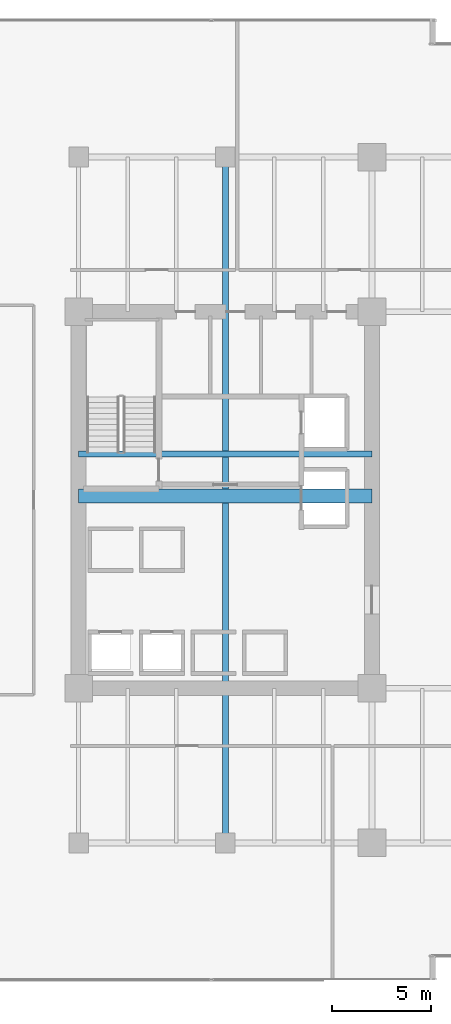
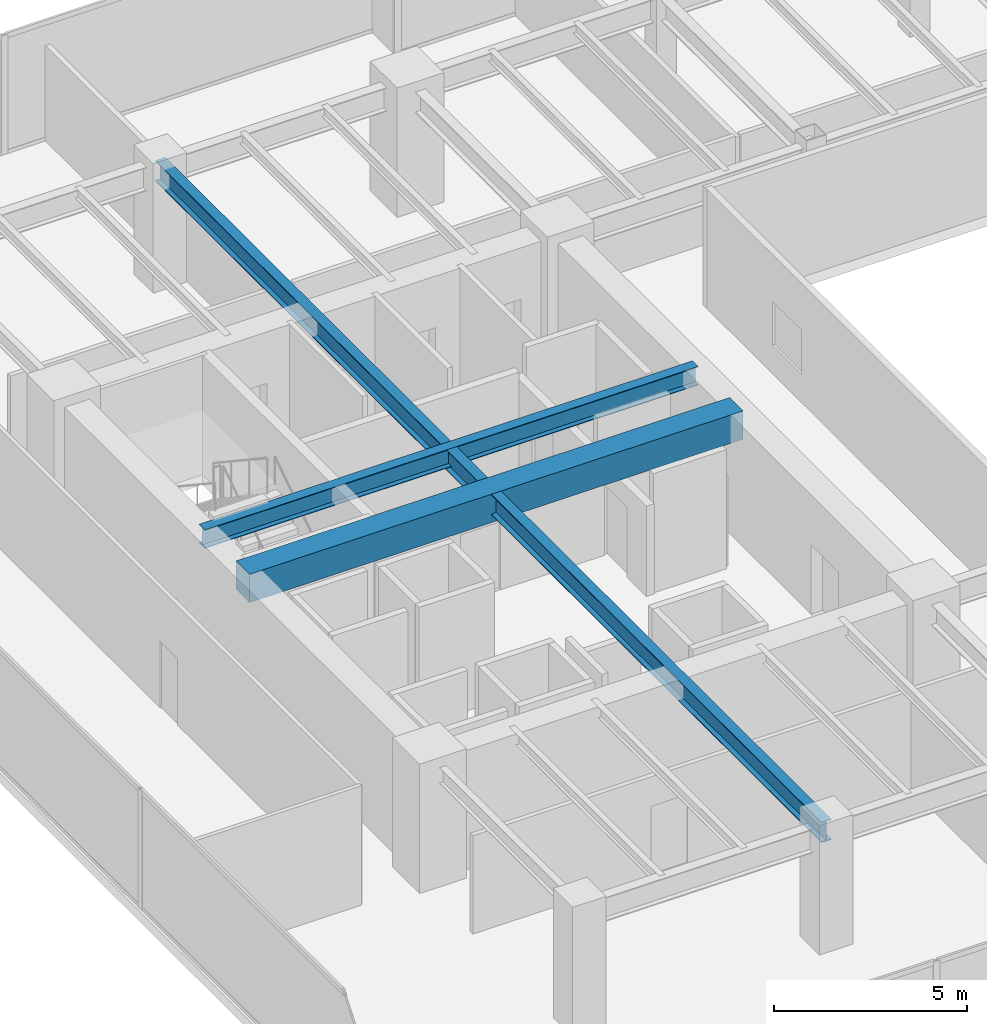
# One storey, part 7 of 35: 3 beams.
"""IFC4 building model written with IfcOpenShell, lengths in metres."""

from ifc_helpers import new_model, si_unit, direction, frame, origin, origin_2d, place, context, subcontext, project, spatial, rectangle, i_section, extrude, source, transform, mapped, material, material_profile, profile_set, type_object, type_shapes, element, save


model = new_model("IFC4")

# Units and contexts
model_context = context("Model", 3, precision=1e-05, world=origin(), true_north=direction((0.0, 1.0)))
body_context = subcontext(model_context, "Body", "Model", "MODEL_VIEW")
ifc_project = project(units=[si_unit("LENGTHUNIT", "METRE"), si_unit("AREAUNIT", "SQUARE_METRE"), si_unit("VOLUMEUNIT", "CUBIC_METRE"), si_unit("PLANEANGLEUNIT", "RADIAN"), si_unit("MASSUNIT", "GRAM", prefix="KILO")], contexts=[model_context])

# Site, building, storey
site_placement = place(None, origin())
site = spatial("IfcSite", under=ifc_project, at=site_placement, CompositionType="ELEMENT")
building_placement = place(site_placement, origin())
building = spatial("IfcBuilding", under=site, at=building_placement, Name="Haelvirn Gate Laboratories", CompositionType="ELEMENT")
storey_placement = place(building_placement, frame((0.0, 0.0, 66.199951171875)))
storey = spatial("IfcBuildingStorey", under=building, at=storey_placement, Name="L16", CompositionType="ELEMENT", Elevation=66.199951171875)

# Beams
ifc_material_1 = material(Name="Concrete C60/75", Category="concrete")
ifc_material_profile_1 = material_profile(ifc_material_1, rectangle(XDim=0.699951171875, YDim=0.89990234375, at=origin_2d()), Name="RCB-700x900")
ifc_profile_set_1 = profile_set([ifc_material_profile_1], Name="Concrete C60/75")
beam_type_1 = type_object("IfcBeamType", Name="BM-RCB-900", PredefinedType="LINTEL", material=ifc_profile_set_1)
shared_shape_1 = source(origin(), body_context, "Body", "SweptSolid", [
    extrude(rectangle(XDim=0.699951171875, YDim=0.89990234375, at=origin_2d()), origin(), (0.0, 0.0, 1.0), 14.800048828125),
])
type_shapes(beam_type_1, [shared_shape_1])
beam_1_placement = place(storey_placement, frame((7.39990234375, 24.5, 3.330078125), z_axis=(1.0, 0.0, 0.0), x_axis=(0.0, 1.0, 0.0)))
element("IfcBeam", 1, at=beam_1_placement, inside=storey, type_object=beam_type_1, Name="L16 West Core Coupling Beam", PredefinedType="LINTEL", context=body_context, shape_type="MappedRepresentation", body=[
    mapped(shared_shape_1, transform((0.0, 0.0, 0.0), scale=1.0)),
])
ifc_material_2 = material(Name="Steel SM355", Category="steel")
ifc_material_profile_2 = material_profile(ifc_material_2, i_section(OverallWidth=0.300048828125, OverallDepth=0.587890625, WebThickness=0.011962890625, FlangeThickness=0.02001953125, at=origin_2d()), Name="H-588x300x12x20")
ifc_profile_set_2 = profile_set([ifc_material_profile_2], Name="Steel SM355")
beam_type_2 = type_object("IfcBeamType", Name="BM-G-588", PredefinedType="BEAM", material=ifc_profile_set_2)
shared_shape_2 = source(origin(), body_context, "Body", "SweptSolid", [
    extrude(i_section(OverallWidth=0.300048828125, OverallDepth=0.587890625, WebThickness=0.011962890625, FlangeThickness=0.02001953125, at=origin_2d()), origin(), (0.0, 0.0, 1.0), 14.800048828125),
])
type_shapes(beam_type_2, [shared_shape_2])
beam_2_placement = place(storey_placement, frame((7.39990234375, 26.6201171875, 3.486083984375), z_axis=(1.0, 0.0, 0.0), x_axis=(0.0, 1.0, 0.0)))
element("IfcBeam", 2, at=beam_2_placement, inside=storey, type_object=beam_type_2, Name="L16 Stair ST1 Landing Header", PredefinedType="BEAM", context=body_context, shape_type="MappedRepresentation", body=[
    mapped(shared_shape_2, transform((0.0, 0.0, 0.0), scale=1.0)),
])
ifc_material_profile_3 = material_profile(ifc_material_2, i_section(OverallWidth=0.300048828125, OverallDepth=0.64990234375, WebThickness=0.012939453125, FlangeThickness=0.02197265625, at=origin_2d()), Name="H-650x300x13x22")
ifc_profile_set_3 = profile_set([ifc_material_profile_3], Name="Steel SM355")
beam_type_3 = type_object("IfcBeamType", Name="BM-G-650", PredefinedType="BEAM", material=ifc_profile_set_3)
shared_shape_3 = source(origin(), body_context, "Body", "SweptSolid", [
    extrude(i_section(OverallWidth=0.300048828125, OverallDepth=0.64990234375, WebThickness=0.012939453125, FlangeThickness=0.02197265625, at=origin_2d()), origin(), (0.0, 0.0, 1.0), 34.60009765625),
])
type_shapes(beam_type_3, [shared_shape_3])
beam_3_placement = place(storey_placement, frame((14.800048828125, 7.0, 3.455078125), z_axis=(0.0, 1.0, 0.0), x_axis=(-1.0, 0.0, 0.0)))
element("IfcBeam", 3, at=beam_3_placement, inside=storey, type_object=beam_type_3, Name="L16 Frame Girder X14.8 (7.0-41.6)", PredefinedType="BEAM", context=body_context, shape_type="MappedRepresentation", body=[
    mapped(shared_shape_3, transform((0.0, 0.0, 0.0), scale=1.0)),
])

save(model, "model.ifc")
